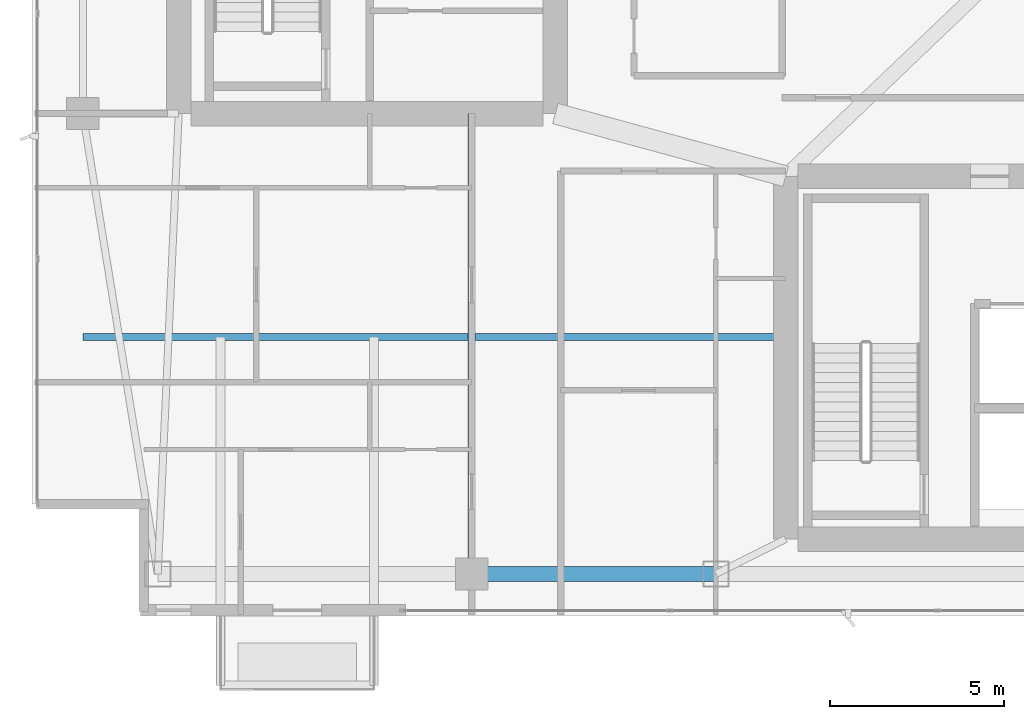
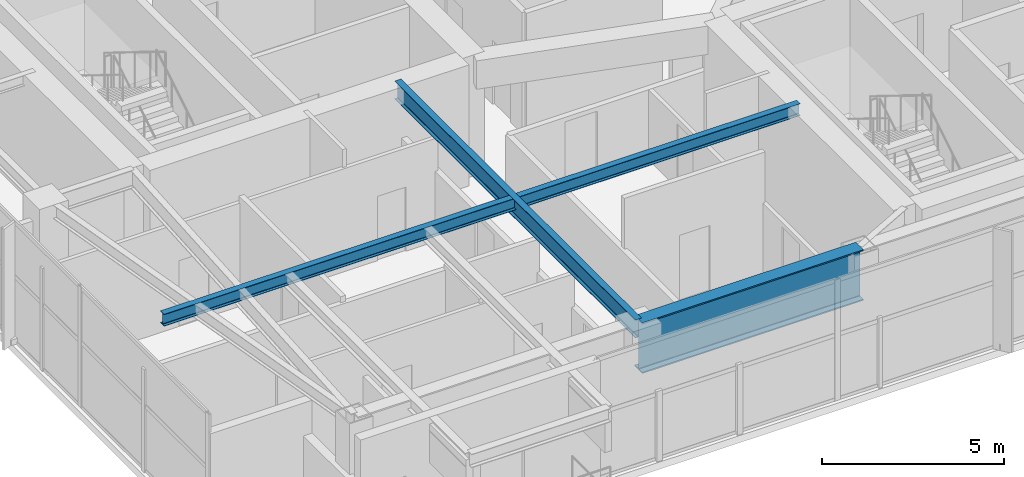
# One storey, part 5 of 29: 3 beams.
"""IFC4 building model written with IfcOpenShell, lengths in metres."""

from ifc_helpers import new_model, si_unit, direction, frame, origin, origin_2d, place, context, subcontext, project, spatial, i_section, extrude, material, material_profile, profile_set, type_object, element, save


model = new_model("IFC4")

# Units and contexts
model_context = context("Model", 3, precision=1e-05, world=origin(), true_north=direction((0.0, 1.0)))
body_context = subcontext(model_context, "Body", "Model", "MODEL_VIEW")
ifc_project = project(units=[si_unit("LENGTHUNIT", "METRE"), si_unit("AREAUNIT", "SQUARE_METRE"), si_unit("VOLUMEUNIT", "CUBIC_METRE"), si_unit("PLANEANGLEUNIT", "RADIAN"), si_unit("MASSUNIT", "GRAM", prefix="KILO")], contexts=[model_context])

# Site, building, storey
site_placement = place(None, origin())
site = spatial("IfcSite", under=ifc_project, at=site_placement, CompositionType="ELEMENT")
building_placement = place(site_placement, origin())
building = spatial("IfcBuilding", under=site, at=building_placement, Name="Calvorn Quay Hotel", CompositionType="ELEMENT")
storey_placement = place(building_placement, frame((0.0, 0.0, 214.800048828125)))
storey = spatial("IfcBuildingStorey", under=building, at=storey_placement, Name="L53", CompositionType="ELEMENT", Elevation=214.800048828125)

# Beams
ifc_material_1 = material(Name="Steel Q355B", Category="steel")
ifc_material_profile_1 = material_profile(ifc_material_1, i_section(OverallWidth=0.199951171875, OverallDepth=0.60009765625, WebThickness=0.010986328125, FlangeThickness=0.01708984375, FilletRadius=0.01806640625, at=origin_2d()), Name="HN600x200x11x17")
ifc_profile_set_1 = profile_set([ifc_material_profile_1], Name="Steel Q355B")
beam_type_1 = type_object("IfcBeamType", Name="BM-GIRD-TYP", PredefinedType="BEAM", material=ifc_profile_set_1)
beam_1_placement = place(storey_placement, frame((12.60009765625, 3.60009765625, 3.75), z_axis=(0.0, 1.0, 0.0), x_axis=(-1.0, 0.0, 0.0)))
element("IfcBeam", 1, at=beam_1_placement, inside=storey, type_object=beam_type_1, Name="Beam BG-L53-S1", PredefinedType="BEAM", context=body_context, shape_type="SweptSolid", body=[
    extrude(i_section(OverallWidth=0.199951171875, OverallDepth=0.60009765625, WebThickness=0.010986328125, FlangeThickness=0.01708984375, FilletRadius=0.01806640625, at=origin_2d()), origin(), (0.0, 0.0, 1.0), 13.199951171875),
])
ifc_material_2 = material(Name="Steel Q355B", Category="steel")
ifc_material_profile_2 = material_profile(ifc_material_2, i_section(OverallWidth=0.199951171875, OverallDepth=0.39990234375, WebThickness=0.008056640625, FlangeThickness=0.012939453125, FilletRadius=0.01611328125, at=origin_2d()), Name="HN400x200x8x13")
ifc_profile_set_2 = profile_set([ifc_material_profile_2], Name="Steel Q355B")
beam_type_2 = type_object("IfcBeamType", Name="BM-JOIST-TYP", PredefinedType="JOIST", material=ifc_profile_set_2)
beam_2_placement = place(storey_placement, frame((1.449951171875, 10.39990234375, 3.849853515625), z_axis=(1.0, 0.0, 0.0), x_axis=(0.0, 1.0, 0.0)))
element("IfcBeam", 2, at=beam_2_placement, inside=storey, type_object=beam_type_2, Name="Beam BJ-L53-W1", PredefinedType="JOIST", context=body_context, shape_type="SweptSolid", body=[
    extrude(i_section(OverallWidth=0.199951171875, OverallDepth=0.39990234375, WebThickness=0.008056640625, FlangeThickness=0.012939453125, FilletRadius=0.01611328125, at=origin_2d()), origin(), (0.0, 0.0, 1.0), 20.150146484375),
])
ifc_material_3 = material(Name="Steel Q420GJC", Category="steel")
ifc_material_profile_3 = material_profile(ifc_material_3, i_section(OverallWidth=0.419921875, OverallDepth=1.699951171875, WebThickness=0.02392578125, FlangeThickness=0.0419921875, FilletRadius=0.02392578125, at=origin_2d()), Name="HN1700x420x24x42")
ifc_profile_set_3 = profile_set([ifc_material_profile_3], Name="Steel Q420GJC")
beam_type_3 = type_object("IfcBeamType", Name="BM-XFER-SAWTOOTH", PredefinedType="BEAM", material=ifc_profile_set_3)
beam_3_placement = place(storey_placement, frame((12.60009765625, 3.60009765625, 3.199951171875), z_axis=(1.0, 0.0, 0.0), x_axis=(0.0, 1.0, 0.0)))
element("IfcBeam", 3, at=beam_3_placement, inside=storey, type_object=beam_type_3, Name="Beam BSP-L53-S2", PredefinedType="BEAM", context=body_context, shape_type="SweptSolid", body=[
    extrude(i_section(OverallWidth=0.419921875, OverallDepth=1.699951171875, WebThickness=0.02392578125, FlangeThickness=0.0419921875, FilletRadius=0.02392578125, at=origin_2d()), origin(), (0.0, 0.0, 1.0), 7.0),
])

save(model, "model.ifc")
